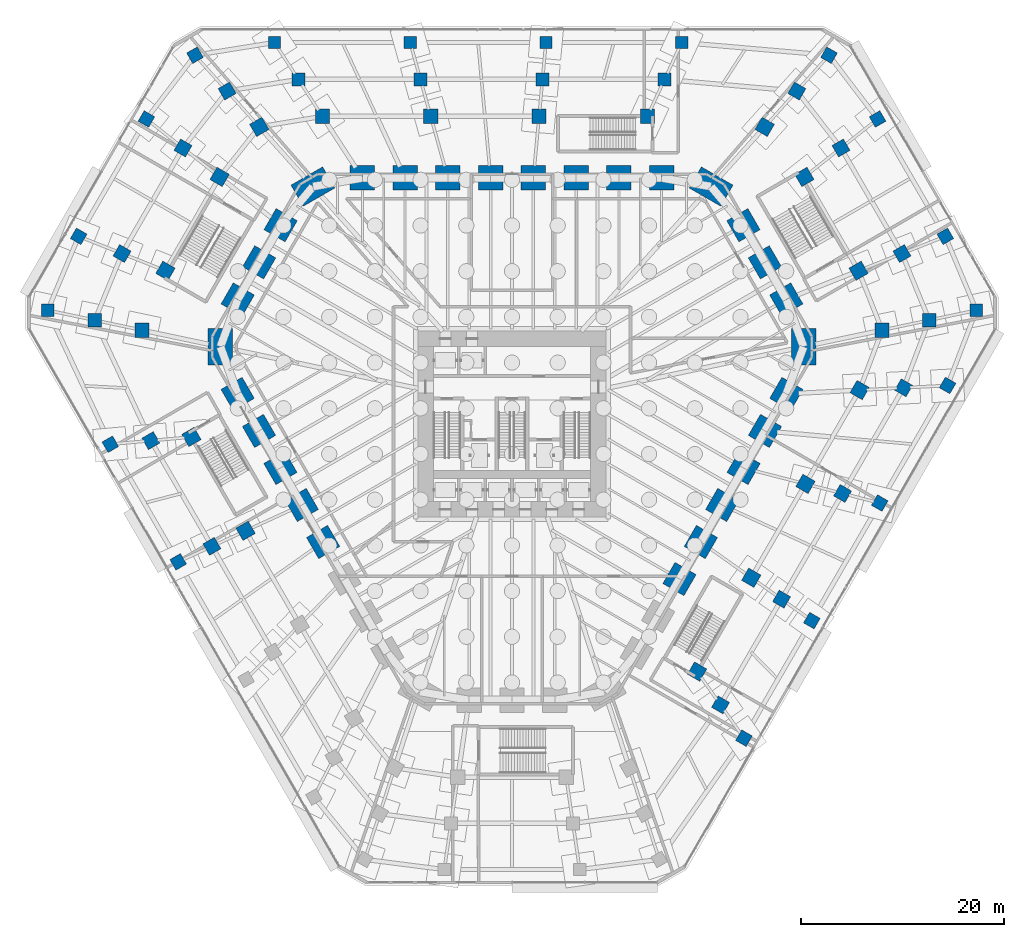
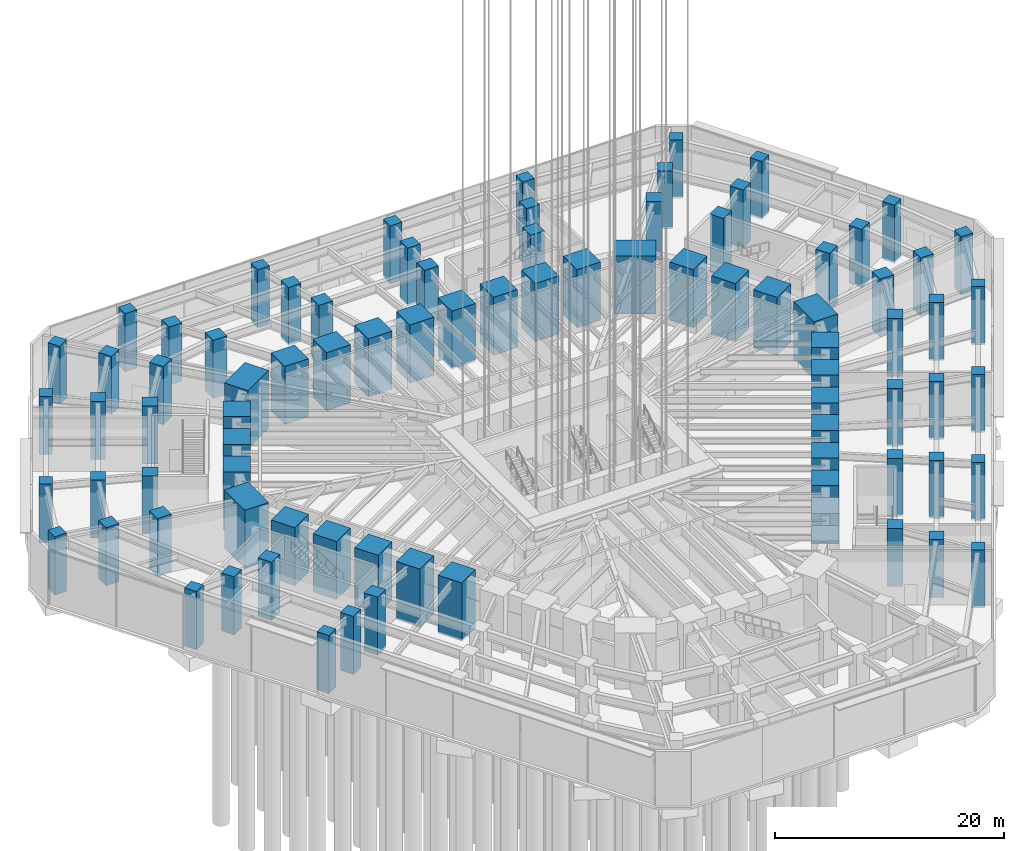
# One storey, part 2 of 34: 83 columns.
"""IFC4 building model written with IfcOpenShell, lengths in metres."""

from ifc_helpers import new_model, si_unit, direction, frame, origin, origin_2d, place, context, subcontext, project, spatial, rectangle, extrude, material, material_profile, profile_set, type_object, element, save


model = new_model("IFC4")

# Units and contexts
model_context = context("Model", 3, precision=1e-05, world=origin(), true_north=direction((0.0, 1.0)))
body_context = subcontext(model_context, "Body", "Model", "MODEL_VIEW")
ifc_project = project(units=[si_unit("LENGTHUNIT", "METRE"), si_unit("AREAUNIT", "SQUARE_METRE"), si_unit("VOLUMEUNIT", "CUBIC_METRE"), si_unit("PLANEANGLEUNIT", "RADIAN"), si_unit("MASSUNIT", "GRAM", prefix="KILO")], contexts=[model_context])

# Site, building, storey
site_placement = place(None, origin())
site = spatial("IfcSite", under=ifc_project, at=site_placement, CompositionType="ELEMENT")
building_placement = place(site_placement, origin())
building = spatial("IfcBuilding", under=site, at=building_placement, Name="Sandreach Pilgrim Tower", CompositionType="ELEMENT")
storey_placement = place(building_placement, origin())
storey = spatial("IfcBuildingStorey", under=building, at=storey_placement, Name="L00", CompositionType="ELEMENT", Elevation=0.0)

# Columns
ifc_material_1 = material(Name="Concrete 10000 psi", Category="concrete")
ifc_material_profile_1 = material_profile(ifc_material_1, rectangle(XDim=1.199951171875, YDim=1.199951171875, at=origin_2d()), Name="RC1200X1200")
ifc_profile_set_1 = profile_set([ifc_material_profile_1], Name="Concrete 10000 psi")
column_type_1 = type_object("IfcColumnType", Name="Podium column RC1200X1200", PredefinedType="COLUMN", material=ifc_profile_set_1)
for number, where, z_axis, x_axis, name in (
    (1, (-23.39599609375, 36.025390625, -0.199951171875), (0.0, 0.0, 1.0), (0.0, 1.0, 0.0), "COL L00 R155-01"),
    (2, (-10.02685546875, 36.025390625, -0.199951171875), (0.0, 0.0, 1.0), (0.0, 1.0, 0.0), "COL L00 R155-03"),
    (3, (3.34228515625, 36.025390625, -0.199951171875), (0.0, 0.0, 1.0), (0.0, 1.0, 0.0), "COL L00 R155-05"),
    (4, (16.71142578125, 36.025390625, -0.199951171875), (0.0, 0.0, 1.0), (0.0, 1.0, 0.0), "COL L00 R155-07"),
    (5, (31.2197265625, 34.768310546875, -0.199951171875), (0.0, 0.0, 1.0), (0.5, 0.866025403784, 0.0), "COL L00 R155-09"),
    (6, (36.001220703125, 28.48779296875, -0.199951171875), (0.0, 0.0, 1.0), (0.866025403784, 0.5, 0.0), "COL L00 R155-10"),
    (7, (42.671875, 16.93408203125, -0.199951171875), (0.0, 0.0, 1.0), (0.866025403784, 0.5, 0.0), "COL L00 R155-12"),
    (8, (45.72021484375, 9.653076171875, -0.199951171875), (0.0, 0.0, 1.0), (1.0, 0.0, 0.0), "COL L00 R155-13"),
    (9, (42.89697265625, 2.248779296875, -0.199951171875), (0.0, 0.0, 1.0), (0.866025403784, -0.5, 0.0), "COL L00 R155-14"),
    (10, (36.21240234375, -9.329345703125, -0.199951171875), (0.0, 0.0, 1.0), (0.866025403784, -0.5, 0.0), "COL L00 R155-16"),
    (11, (29.52783203125, -20.9072265625, -0.199951171875), (0.0, 0.0, 1.0), (0.866025403784, -0.5, 0.0), "COL L00 R155-18"),
    (12, (22.84326171875, -32.4853515625, -0.199951171875), (0.0, 0.0, 1.0), (0.866025403784, -0.5, 0.0), "COL L00 R155-20"),
    (13, (-32.8701171875, -15.1181640625, -0.199951171875), (0.0, 0.0, 1.0), (-0.866025403784, -0.5, 0.0), "COL L00 R155-31"),
    (14, (-39.5546875, -3.540283203125, -0.199951171875), (0.0, 0.0, 1.0), (-0.866025403784, -0.5, 0.0), "COL L00 R155-33"),
    (15, (-45.72021484375, 9.653076171875, -0.199951171875), (0.0, 0.0, 1.0), (-1.0, 0.0, 0.0), "COL L00 R155-35"),
    (16, (-42.671875, 16.93408203125, -0.199951171875), (0.0, 0.0, 1.0), (-0.866025403784, 0.5, 0.0), "COL L00 R155-36"),
    (17, (-36.001220703125, 28.48779296875, -0.199951171875), (0.0, 0.0, 1.0), (-0.866025403784, 0.5, 0.0), "COL L00 R155-38"),
    (18, (-31.2197265625, 34.768310546875, -0.199951171875), (0.0, 0.0, 1.0), (-0.5, 0.866025403784, 0.0), "COL L00 R155-39"),
):
    element("IfcColumn", number, at=place(storey_placement, frame(where, z_axis=z_axis, x_axis=x_axis)), inside=storey, type_object=column_type_1, Name=name, PredefinedType="COLUMN", context=body_context, shape_type="SweptSolid", body=[
        extrude(rectangle(XDim=1.199951171875, YDim=1.199951171875, at=origin_2d()), origin(), (0.0, 0.0, 1.0), 6.199951171875),
    ])
ifc_material_2 = material(Name="Concrete 10000 psi", Category="concrete")
ifc_material_profile_2 = material_profile(ifc_material_2, rectangle(XDim=1.300048828125, YDim=1.300048828125, at=origin_2d()), Name="RC1300X1300")
ifc_profile_set_2 = profile_set([ifc_material_profile_2], Name="Concrete 10000 psi")
column_type_2 = type_object("IfcColumnType", Name="Podium column RC1300X1300", PredefinedType="COLUMN", material=ifc_profile_set_2)
for number, where, z_axis, x_axis, name in (
    (19, (-21.033935546875, 32.38818359375, -0.199951171875), (0.0, 0.0, 1.0), (0.0, 1.0, 0.0), "COL L00 R140-01"),
    (20, (-9.014404296875, 32.38818359375, -0.199951171875), (0.0, 0.0, 1.0), (0.0, 1.0, 0.0), "COL L00 R140-03"),
    (21, (3.0048828125, 32.38818359375, -0.199951171875), (0.0, 0.0, 1.0), (0.0, 1.0, 0.0), "COL L00 R140-05"),
    (22, (15.024169921875, 32.38818359375, -0.199951171875), (0.0, 0.0, 1.0), (0.0, 1.0, 0.0), "COL L00 R140-07"),
    (23, (28.052490234375, 31.240966796875, -0.199951171875), (0.0, 0.0, 1.0), (0.5, 0.866025403784, 0.0), "COL L00 R140-09"),
    (24, (32.3974609375, 25.63623046875, -0.199951171875), (0.0, 0.0, 1.0), (0.866025403784, 0.5, 0.0), "COL L00 R140-10"),
    (25, (38.400390625, 15.239013671875, -0.199951171875), (0.0, 0.0, 1.0), (0.866025403784, 0.5, 0.0), "COL L00 R140-12"),
    (26, (41.081787109375, 8.673583984375, -0.199951171875), (0.0, 0.0, 1.0), (1.0, 0.0, 0.0), "COL L00 R140-13"),
    (27, (38.56591796875, 2.021728515625, -0.199951171875), (0.0, 0.0, 1.0), (0.866025403784, -0.5, 0.0), "COL L00 R140-14"),
    (28, (32.55615234375, -8.38720703125, -0.199951171875), (0.0, 0.0, 1.0), (0.866025403784, -0.5, 0.0), "COL L00 R140-16"),
    (29, (26.546630859375, -18.79638671875, -0.199951171875), (0.0, 0.0, 1.0), (0.866025403784, -0.5, 0.0), "COL L00 R140-18"),
    (30, (20.536865234375, -29.205322265625, -0.199951171875), (0.0, 0.0, 1.0), (0.866025403784, -0.5, 0.0), "COL L00 R140-20"),
    (31, (-29.551513671875, -13.591796875, -0.199951171875), (0.0, 0.0, 1.0), (-0.866025403784, -0.5, 0.0), "COL L00 R140-31"),
    (32, (-35.56103515625, -3.182861328125, -0.199951171875), (0.0, 0.0, 1.0), (-0.866025403784, -0.5, 0.0), "COL L00 R140-33"),
    (33, (-41.081787109375, 8.673583984375, -0.199951171875), (0.0, 0.0, 1.0), (-1.0, 0.0, 0.0), "COL L00 R140-35"),
    (34, (-38.400390625, 15.239013671875, -0.199951171875), (0.0, 0.0, 1.0), (-0.866025403784, 0.5, 0.0), "COL L00 R140-36"),
    (35, (-32.3974609375, 25.63623046875, -0.199951171875), (0.0, 0.0, 1.0), (-0.866025403784, 0.5, 0.0), "COL L00 R140-38"),
    (36, (-28.052490234375, 31.240966796875, -0.199951171875), (0.0, 0.0, 1.0), (-0.5, 0.866025403784, 0.0), "COL L00 R140-39"),
):
    element("IfcColumn", number, at=place(storey_placement, frame(where, z_axis=z_axis, x_axis=x_axis)), inside=storey, type_object=column_type_2, Name=name, PredefinedType="COLUMN", context=body_context, shape_type="SweptSolid", body=[
        extrude(rectangle(XDim=1.300048828125, YDim=1.300048828125, at=origin_2d()), origin(), (0.0, 0.0, 1.0), 6.199951171875),
    ])
ifc_material_3 = material(Name="Concrete 10000 psi", Category="concrete")
ifc_material_profile_3 = material_profile(ifc_material_3, rectangle(XDim=1.39990234375, YDim=1.39990234375, at=origin_2d()), Name="RC1400X1400")
ifc_profile_set_3 = profile_set([ifc_material_profile_3], Name="Concrete 10000 psi")
column_type_3 = type_object("IfcColumnType", Name="Podium column RC1400X1400", PredefinedType="COLUMN", material=ifc_profile_set_3)
for number, where, z_axis, x_axis, name in (
    (37, (-18.671630859375, 28.7509765625, -0.199951171875), (0.0, 0.0, 1.0), (0.0, 1.0, 0.0), "COL L00 R125-01"),
    (38, (-8.002197265625, 28.7509765625, -0.199951171875), (0.0, 0.0, 1.0), (0.0, 1.0, 0.0), "COL L00 R125-03"),
    (39, (2.66748046875, 28.7509765625, -0.199951171875), (0.0, 0.0, 1.0), (0.0, 1.0, 0.0), "COL L00 R125-05"),
    (40, (13.3369140625, 28.7509765625, -0.199951171875), (0.0, 0.0, 1.0), (0.0, 1.0, 0.0), "COL L00 R125-07"),
    (41, (24.88525390625, 27.713623046875, -0.199951171875), (0.0, 0.0, 1.0), (0.5, 0.866025403784, 0.0), "COL L00 R125-09"),
    (42, (28.7939453125, 22.78466796875, -0.199951171875), (0.0, 0.0, 1.0), (0.866025403784, 0.5, 0.0), "COL L00 R125-10"),
    (43, (34.129150390625, 13.5439453125, -0.199951171875), (0.0, 0.0, 1.0), (0.866025403784, 0.5, 0.0), "COL L00 R125-12"),
    (44, (36.443359375, 7.6943359375, -0.199951171875), (0.0, 0.0, 1.0), (1.0, 0.0, 0.0), "COL L00 R125-13"),
    (45, (34.23486328125, 1.794677734375, -0.199951171875), (0.0, 0.0, 1.0), (0.866025403784, -0.5, 0.0), "COL L00 R125-14"),
    (46, (28.900146484375, -7.4453125, -0.199951171875), (0.0, 0.0, 1.0), (0.866025403784, -0.5, 0.0), "COL L00 R125-16"),
    (47, (23.5654296875, -16.685546875, -0.199951171875), (0.0, 0.0, 1.0), (0.866025403784, -0.5, 0.0), "COL L00 R125-18"),
    (48, (18.23046875, -25.925537109375, -0.199951171875), (0.0, 0.0, 1.0), (0.866025403784, -0.5, 0.0), "COL L00 R125-20"),
    (49, (-26.232666015625, -12.0654296875, -0.199951171875), (0.0, 0.0, 1.0), (-0.866025403784, -0.5, 0.0), "COL L00 R125-31"),
    (50, (-31.5673828125, -2.825439453125, -0.199951171875), (0.0, 0.0, 1.0), (-0.866025403784, -0.5, 0.0), "COL L00 R125-33"),
    (51, (-36.443359375, 7.6943359375, -0.199951171875), (0.0, 0.0, 1.0), (-1.0, 0.0, 0.0), "COL L00 R125-35"),
    (52, (-34.129150390625, 13.5439453125, -0.199951171875), (0.0, 0.0, 1.0), (-0.866025403784, 0.5, 0.0), "COL L00 R125-36"),
    (53, (-28.7939453125, 22.78466796875, -0.199951171875), (0.0, 0.0, 1.0), (-0.866025403784, 0.5, 0.0), "COL L00 R125-38"),
    (54, (-24.88525390625, 27.713623046875, -0.199951171875), (0.0, 0.0, 1.0), (-0.5, 0.866025403784, 0.0), "COL L00 R125-39"),
):
    element("IfcColumn", number, at=place(storey_placement, frame(where, z_axis=z_axis, x_axis=x_axis)), inside=storey, type_object=column_type_3, Name=name, PredefinedType="COLUMN", context=body_context, shape_type="SweptSolid", body=[
        extrude(rectangle(XDim=1.39990234375, YDim=1.39990234375, at=origin_2d()), origin(), (0.0, 0.0, 1.0), 6.199951171875),
    ])
ifc_material_4 = material(Name="Concrete 10000 psi", Category="concrete")
ifc_material_profile_4 = material_profile(ifc_material_4, rectangle(XDim=2.39990234375, YDim=2.39990234375, at=origin_2d()), Name="RC2400X2400")
ifc_profile_set_4 = profile_set([ifc_material_profile_4], Name="Concrete 10000 psi")
column_type_4 = type_object("IfcColumnType", Name="Tube column RC2400X2400", PredefinedType="COLUMN", material=ifc_profile_set_4)
for number, where, z_axis, x_axis, name in (
    (55, (-14.734619140625, 22.688720703125, -0.199951171875), (0.0, 0.0, 1.0), (0.0, 1.0, 0.0), "COL L00 T01"),
    (56, (-10.52490234375, 22.688720703125, -0.199951171875), (0.0, 0.0, 1.0), (0.0, 1.0, 0.0), "COL L00 T02"),
    (57, (-6.31494140625, 22.688720703125, -0.199951171875), (0.0, 0.0, 1.0), (0.0, 1.0, 0.0), "COL L00 T03"),
    (58, (-2.10498046875, 22.688720703125, -0.199951171875), (0.0, 0.0, 1.0), (0.0, 1.0, 0.0), "COL L00 T04"),
    (59, (2.10498046875, 22.688720703125, -0.199951171875), (0.0, 0.0, 1.0), (0.0, 1.0, 0.0), "COL L00 T05"),
    (60, (6.31494140625, 22.688720703125, -0.199951171875), (0.0, 0.0, 1.0), (0.0, 1.0, 0.0), "COL L00 T06"),
    (61, (10.52490234375, 22.688720703125, -0.199951171875), (0.0, 0.0, 1.0), (0.0, 1.0, 0.0), "COL L00 T07"),
    (62, (14.734619140625, 22.688720703125, -0.199951171875), (0.0, 0.0, 1.0), (0.0, 1.0, 0.0), "COL L00 T08"),
    (63, (22.787841796875, 18.031982421875, -0.199951171875), (0.0, 0.0, 1.0), (0.866025403784, 0.5, 0.0), "COL L00 T10"),
    (64, (24.89892578125, 14.37548828125, -0.199951171875), (0.0, 0.0, 1.0), (0.866025403784, 0.5, 0.0), "COL L00 T11"),
    (65, (27.01025390625, 10.71875, -0.199951171875), (0.0, 0.0, 1.0), (0.866025403784, 0.5, 0.0), "COL L00 T12"),
    (66, (27.016357421875, 1.416259765625, -0.199951171875), (0.0, 0.0, 1.0), (0.866025403784, -0.5, 0.0), "COL L00 T14"),
    (67, (24.911376953125, -2.229736328125, -0.199951171875), (0.0, 0.0, 1.0), (0.866025403784, -0.5, 0.0), "COL L00 T15"),
    (68, (22.806396484375, -5.87548828125, -0.199951171875), (0.0, 0.0, 1.0), (0.866025403784, -0.5, 0.0), "COL L00 T16"),
    (69, (20.701416015625, -9.521484375, -0.199951171875), (0.0, 0.0, 1.0), (0.866025403784, -0.5, 0.0), "COL L00 T17"),
    (70, (18.596435546875, -13.167236328125, -0.199951171875), (0.0, 0.0, 1.0), (0.866025403784, -0.5, 0.0), "COL L00 T18"),
    (71, (16.491455078125, -16.813232421875, -0.199951171875), (0.0, 0.0, 1.0), (0.866025403784, -0.5, 0.0), "COL L00 T19"),
    (72, (-18.596435546875, -13.167236328125, -0.199951171875), (0.0, 0.0, 1.0), (-0.866025403784, -0.5, 0.0), "COL L00 T30"),
    (73, (-20.701416015625, -9.521484375, -0.199951171875), (0.0, 0.0, 1.0), (-0.866025403784, -0.5, 0.0), "COL L00 T31"),
    (74, (-22.806396484375, -5.87548828125, -0.199951171875), (0.0, 0.0, 1.0), (-0.866025403784, -0.5, 0.0), "COL L00 T32"),
    (75, (-24.911376953125, -2.229736328125, -0.199951171875), (0.0, 0.0, 1.0), (-0.866025403784, -0.5, 0.0), "COL L00 T33"),
    (76, (-27.016357421875, 1.416259765625, -0.199951171875), (0.0, 0.0, 1.0), (-0.866025403784, -0.5, 0.0), "COL L00 T34"),
    (77, (-27.01025390625, 10.71875, -0.199951171875), (0.0, 0.0, 1.0), (-0.866025403784, 0.5, 0.0), "COL L00 T36"),
    (78, (-24.89892578125, 14.37548828125, -0.199951171875), (0.0, 0.0, 1.0), (-0.866025403784, 0.5, 0.0), "COL L00 T37"),
    (79, (-22.787841796875, 18.031982421875, -0.199951171875), (0.0, 0.0, 1.0), (-0.866025403784, 0.5, 0.0), "COL L00 T38"),
):
    element("IfcColumn", number, at=place(storey_placement, frame(where, z_axis=z_axis, x_axis=x_axis)), inside=storey, type_object=column_type_4, Name=name, PredefinedType="COLUMN", context=body_context, shape_type="SweptSolid", body=[
        extrude(rectangle(XDim=2.39990234375, YDim=2.39990234375, at=origin_2d()), origin(), (0.0, 0.0, 1.0), 6.199951171875),
    ])
ifc_material_5 = material(Name="Concrete 10000 psi", Category="concrete")
ifc_material_profile_5 = material_profile(ifc_material_5, rectangle(XDim=2.39990234375, YDim=3.60009765625, at=origin_2d()), Name="RC2400X3600")
ifc_profile_set_5 = profile_set([ifc_material_profile_5], Name="Concrete 10000 psi")
column_type_5 = type_object("IfcColumnType", Name="Tube corner pier RC2400X3600", PredefinedType="COLUMN", material=ifc_profile_set_5)
for number, where, z_axis, x_axis, name in (
    (80, (19.6064453125, 21.834716796875, -0.199951171875), (0.0, 0.0, 1.0), (0.5, 0.866025403784, 0.0), "COL L00 T09"),
    (81, (28.712646484375, 6.062255859375, -0.199951171875), (0.0, 0.0, 1.0), (1.0, 0.0, 0.0), "COL L00 T13"),
    (82, (-28.712646484375, 6.062255859375, -0.199951171875), (0.0, 0.0, 1.0), (-1.0, 0.0, 0.0), "COL L00 T35"),
    (83, (-19.6064453125, 21.834716796875, -0.199951171875), (0.0, 0.0, 1.0), (-0.5, 0.866025403784, 0.0), "COL L00 T39"),
):
    element("IfcColumn", number, at=place(storey_placement, frame(where, z_axis=z_axis, x_axis=x_axis)), inside=storey, type_object=column_type_5, Name=name, PredefinedType="COLUMN", context=body_context, shape_type="SweptSolid", body=[
        extrude(rectangle(XDim=2.39990234375, YDim=3.60009765625, at=origin_2d()), origin(), (0.0, 0.0, 1.0), 6.199951171875),
    ])

save(model, "model.ifc")
